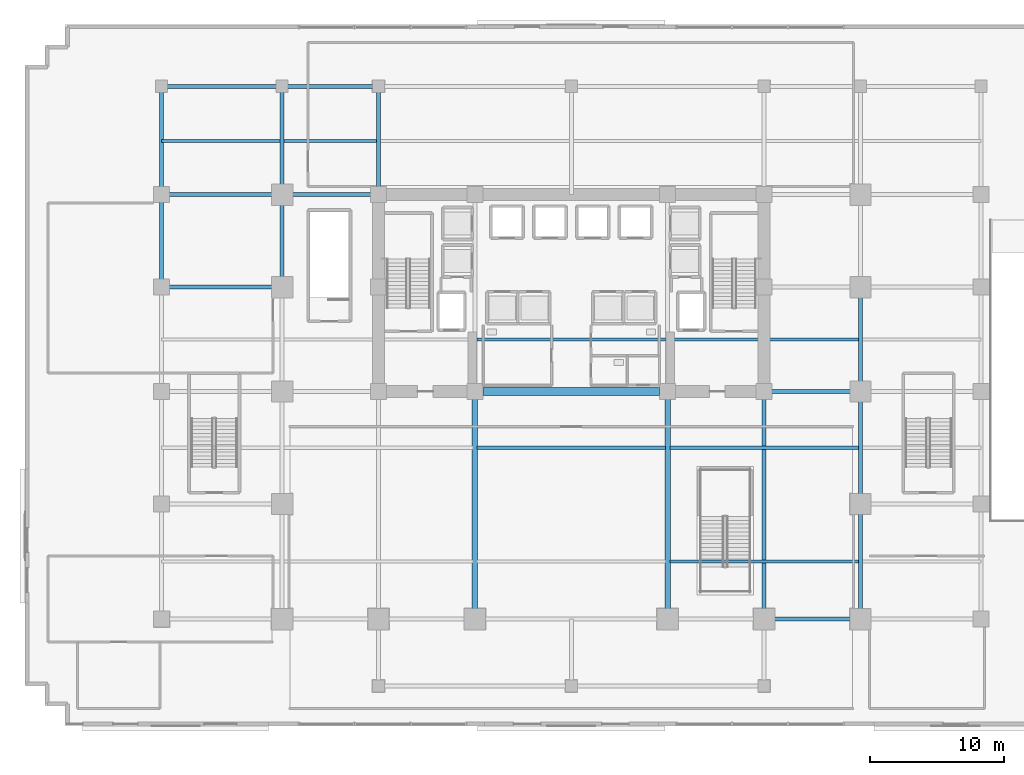
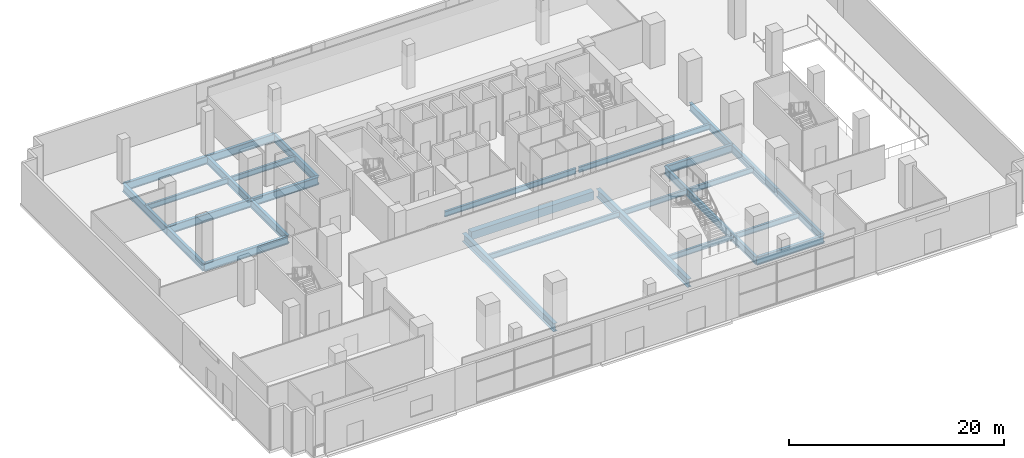
# One storey, part 7 of 27: 26 beams.
"""IFC4 building model written with IfcOpenShell, lengths in metres."""

from ifc_helpers import new_model, si_unit, direction, frame, origin, origin_2d, place, context, subcontext, project, spatial, rectangle, i_section, extrude, material, material_profile, profile_set, type_object, element, save


model = new_model("IFC4")

# Units and contexts
model_context = context("Model", 3, precision=1e-05, world=origin(), true_north=direction((0.0, 1.0)))
body_context = subcontext(model_context, "Body", "Model", "MODEL_VIEW")
ifc_project = project(units=[si_unit("LENGTHUNIT", "METRE"), si_unit("AREAUNIT", "SQUARE_METRE"), si_unit("VOLUMEUNIT", "CUBIC_METRE"), si_unit("PLANEANGLEUNIT", "RADIAN"), si_unit("MASSUNIT", "GRAM", prefix="KILO")], contexts=[model_context])

# Site, building, storey
site_placement = place(None, origin())
site = spatial("IfcSite", under=ifc_project, at=site_placement, CompositionType="ELEMENT")
building_placement = place(site_placement, origin())
building = spatial("IfcBuilding", under=site, at=building_placement, Name="Zarnakvel Exchange Tower", CompositionType="ELEMENT")
storey_placement = place(building_placement, origin())
storey = spatial("IfcBuildingStorey", under=building, at=storey_placement, Name="L00", CompositionType="ELEMENT", Elevation=0.0)

# Beams
ifc_material_1 = material(Name="Steel S355", Category="steel")
ifc_material_profile_1 = material_profile(ifc_material_1, i_section(OverallWidth=0.230224609375, OverallDepth=0.6171875, WebThickness=0.01318359375, FlangeThickness=0.022216796875, FilletRadius=0.0126953125, at=origin_2d()))
ifc_profile_set_1 = profile_set([ifc_material_profile_1], Name="Steel S355")
beam_type_1 = type_object("IfcBeamType", Name="B-02", PredefinedType="JOIST", material=ifc_profile_set_1)
beam_1_placement = place(storey_placement, frame((7.35498046875, -13.89990234375, -0.608642578125), z_axis=(1.0, 0.0, 0.0), x_axis=(0.0, 1.0, 0.0)))
element("IfcBeam", 1, at=beam_1_placement, inside=storey, type_object=beam_type_1, Name="L00 Secondary Floor Joist", PredefinedType="JOIST", context=body_context, shape_type="SweptSolid", body=[
    extrude(i_section(OverallWidth=0.230224609375, OverallDepth=0.6171875, WebThickness=0.01318359375, FlangeThickness=0.022216796875, FilletRadius=0.0126953125, at=origin_2d()), origin(), (0.0, 0.0, 1.0), 14.094970703125),
])
beam_2_placement = place(storey_placement, frame((-7.044921875, -5.39990234375, -0.608642578125), z_axis=(1.0, 0.0, 0.0), x_axis=(0.0, 1.0, 0.0)))
element("IfcBeam", 2, at=beam_2_placement, inside=storey, type_object=beam_type_1, Name="L00 Secondary Floor Joist", PredefinedType="JOIST", context=body_context, shape_type="SweptSolid", body=[
    extrude(i_section(OverallWidth=0.230224609375, OverallDepth=0.6171875, WebThickness=0.01318359375, FlangeThickness=0.022216796875, FilletRadius=0.0126953125, at=origin_2d()), origin(), (0.0, 0.0, 1.0), 14.08984375),
])
beam_3_placement = place(storey_placement, frame((7.35498046875, -5.39990234375, -0.608642578125), z_axis=(1.0, 0.0, 0.0), x_axis=(0.0, 1.0, 0.0)))
element("IfcBeam", 3, at=beam_3_placement, inside=storey, type_object=beam_type_1, Name="L00 Secondary Floor Joist", PredefinedType="JOIST", context=body_context, shape_type="SweptSolid", body=[
    extrude(i_section(OverallWidth=0.230224609375, OverallDepth=0.6171875, WebThickness=0.01318359375, FlangeThickness=0.022216796875, FilletRadius=0.0126953125, at=origin_2d()), origin(), (0.0, 0.0, 1.0), 14.094970703125),
])
beam_4_placement = place(storey_placement, frame((-7.050048828125, 2.699951171875, -0.608642578125), z_axis=(1.0, 0.0, 0.0), x_axis=(0.0, 1.0, 0.0)))
element("IfcBeam", 4, at=beam_4_placement, inside=storey, type_object=beam_type_1, Name="L00 Secondary Floor Joist", PredefinedType="JOIST", context=body_context, shape_type="SweptSolid", body=[
    extrude(i_section(OverallWidth=0.230224609375, OverallDepth=0.6171875, WebThickness=0.01318359375, FlangeThickness=0.022216796875, FilletRadius=0.0126953125, at=origin_2d()), origin(), (0.0, 0.0, 1.0), 14.10009765625),
])
beam_5_placement = place(storey_placement, frame((7.35009765625, 2.699951171875, -0.608642578125), z_axis=(1.0, 0.0, 0.0), x_axis=(0.0, 1.0, 0.0)))
element("IfcBeam", 5, at=beam_5_placement, inside=storey, type_object=beam_type_1, Name="L00 Secondary Floor Joist", PredefinedType="JOIST", context=body_context, shape_type="SweptSolid", body=[
    extrude(i_section(OverallWidth=0.230224609375, OverallDepth=0.6171875, WebThickness=0.01318359375, FlangeThickness=0.022216796875, FilletRadius=0.0126953125, at=origin_2d()), origin(), (0.0, 0.0, 1.0), 14.099853515625),
])
beam_6_placement = place(storey_placement, frame((-30.60009765625, 17.5, -0.608642578125), z_axis=(1.0, 0.0, 0.0), x_axis=(0.0, 1.0, 0.0)))
element("IfcBeam", 6, at=beam_6_placement, inside=storey, type_object=beam_type_1, Name="L00 North Bay Secondary Floor Joist", PredefinedType="JOIST", context=body_context, shape_type="SweptSolid", body=[
    extrude(i_section(OverallWidth=0.230224609375, OverallDepth=0.6171875, WebThickness=0.01318359375, FlangeThickness=0.022216796875, FilletRadius=0.0126953125, at=origin_2d()), origin(), (0.0, 0.0, 1.0), 8.85009765625),
])
beam_7_placement = place(storey_placement, frame((-21.449951171875, 17.5, -0.608642578125), z_axis=(1.0, 0.0, 0.0), x_axis=(0.0, 1.0, 0.0)))
element("IfcBeam", 7, at=beam_7_placement, inside=storey, type_object=beam_type_1, Name="L00 North Bay Secondary Floor Joist", PredefinedType="JOIST", context=body_context, shape_type="SweptSolid", body=[
    extrude(i_section(OverallWidth=0.230224609375, OverallDepth=0.6171875, WebThickness=0.01318359375, FlangeThickness=0.022216796875, FilletRadius=0.0126953125, at=origin_2d()), origin(), (0.0, 0.0, 1.0), 6.89990234375),
])
ifc_material_2 = material(Name="Concrete C80/95", Category="concrete")
ifc_material_profile_2 = material_profile(ifc_material_2, rectangle(XDim=0.60009765625, YDim=0.89990234375, at=origin_2d()))
ifc_profile_set_2 = profile_set([ifc_material_profile_2], Name="Concrete C80/95")
beam_type_2 = type_object("IfcBeamType", Name="CB-01", PredefinedType="LINTEL", material=ifc_profile_set_2)
beam_8_placement = place(storey_placement, frame((-6.60009765625, -1.199951171875, -0.75), z_axis=(1.0, 0.0, 0.0), x_axis=(0.0, 1.0, 0.0)))
element("IfcBeam", 8, at=beam_8_placement, inside=storey, type_object=beam_type_2, Name="L00 Rear Core South Coupling Beam (CB-01)", PredefinedType="LINTEL", context=body_context, shape_type="SweptSolid", body=[
    extrude(rectangle(XDim=0.60009765625, YDim=0.89990234375, at=origin_2d()), origin(), (0.0, 0.0, 1.0), 13.2001953125),
])
ifc_material_profile_3 = material_profile(ifc_material_1, i_section(OverallWidth=0.300048828125, OverallDepth=0.89990234375, WebThickness=0.0185546875, FlangeThickness=0.034912109375, FilletRadius=0.030029296875, at=origin_2d()))
ifc_profile_set_3 = profile_set([ifc_material_profile_3], Name="Steel S355")
beam_type_3 = type_object("IfcBeamType", Name="G-01", PredefinedType="BEAM", material=ifc_profile_set_3)
for number, where, z_axis, x_axis, name in (
    (9, (14.39990234375, -18.199951171875, -0.75), (1.0, 0.0, 0.0), (0.0, 1.0, 0.0), "L00 Primary E-W Girder Y=-18.2"),
    (10, (14.39990234375, -1.199951171875, -0.75), (1.0, 0.0, 0.0), (0.0, 1.0, 0.0), "L00 Primary E-W Girder Y=-1.2"),
):
    element("IfcBeam", number, at=place(storey_placement, frame(where, z_axis=z_axis, x_axis=x_axis)), inside=storey, type_object=beam_type_3, Name=name, PredefinedType="BEAM", context=body_context, shape_type="SweptSolid", body=[
        extrude(i_section(OverallWidth=0.300048828125, OverallDepth=0.89990234375, WebThickness=0.0185546875, FlangeThickness=0.034912109375, FilletRadius=0.030029296875, at=origin_2d()), origin(), (0.0, 0.0, 1.0), 7.2001953125),
    ])
for number, where, z_axis, x_axis, name in (
    (11, (-30.60009765625, 6.60009765625, -0.75), (1.0, 0.0, 0.0), (0.0, 1.0, 0.0), "L00 Primary E-W Girder Y=+6.6"),
    (12, (-30.60009765625, 13.5, -0.75), (1.0, 0.0, 0.0), (0.0, 1.0, 0.0), "L00 Primary E-W Girder Y=+13.5"),
):
    element("IfcBeam", number, at=place(storey_placement, frame(where, z_axis=z_axis, x_axis=x_axis)), inside=storey, type_object=beam_type_3, Name=name, PredefinedType="BEAM", context=body_context, shape_type="SweptSolid", body=[
        extrude(i_section(OverallWidth=0.300048828125, OverallDepth=0.89990234375, WebThickness=0.0185546875, FlangeThickness=0.034912109375, FilletRadius=0.030029296875, at=origin_2d()), origin(), (0.0, 0.0, 1.0), 9.0),
    ])
beam_9_placement = place(storey_placement, frame((-21.60009765625, 13.5, -0.75), z_axis=(1.0, 0.0, 0.0), x_axis=(0.0, 1.0, 0.0)))
element("IfcBeam", 13, at=beam_9_placement, inside=storey, type_object=beam_type_3, Name="L00 Primary E-W Girder Y=+13.5", PredefinedType="BEAM", context=body_context, shape_type="SweptSolid", body=[
    extrude(i_section(OverallWidth=0.300048828125, OverallDepth=0.89990234375, WebThickness=0.0185546875, FlangeThickness=0.034912109375, FilletRadius=0.030029296875, at=origin_2d()), origin(), (0.0, 0.0, 1.0), 7.2001953125),
])
beam_10_placement = place(storey_placement, frame((-30.60009765625, 21.60009765625, -0.75), z_axis=(1.0, 0.0, 0.0), x_axis=(0.0, 1.0, 0.0)))
element("IfcBeam", 14, at=beam_10_placement, inside=storey, type_object=beam_type_3, Name="L00 Primary E-W Girder Y=+21.6", PredefinedType="BEAM", context=body_context, shape_type="SweptSolid", body=[
    extrude(i_section(OverallWidth=0.300048828125, OverallDepth=0.89990234375, WebThickness=0.0185546875, FlangeThickness=0.034912109375, FilletRadius=0.030029296875, at=origin_2d()), origin(), (0.0, 0.0, 1.0), 9.0),
])
beam_11_placement = place(storey_placement, frame((-21.60009765625, 21.60009765625, -0.75), z_axis=(1.0, 0.0, 0.0), x_axis=(0.0, 1.0, 0.0)))
element("IfcBeam", 15, at=beam_11_placement, inside=storey, type_object=beam_type_3, Name="L00 Primary E-W Girder Y=+21.6", PredefinedType="BEAM", context=body_context, shape_type="SweptSolid", body=[
    extrude(i_section(OverallWidth=0.300048828125, OverallDepth=0.89990234375, WebThickness=0.0185546875, FlangeThickness=0.034912109375, FilletRadius=0.030029296875, at=origin_2d()), origin(), (0.0, 0.0, 1.0), 7.2001953125),
])
beam_12_placement = place(storey_placement, frame((-30.60009765625, 6.60009765625, -0.75), z_axis=(0.0, 1.0, 0.0), x_axis=(-1.0, 0.0, 0.0)))
element("IfcBeam", 16, at=beam_12_placement, inside=storey, type_object=beam_type_3, Name="L00 Primary N-S Girder X=-30.6", PredefinedType="BEAM", context=body_context, shape_type="SweptSolid", body=[
    extrude(i_section(OverallWidth=0.300048828125, OverallDepth=0.89990234375, WebThickness=0.0185546875, FlangeThickness=0.034912109375, FilletRadius=0.030029296875, at=origin_2d()), origin(), (0.0, 0.0, 1.0), 6.89990234375),
])
beam_13_placement = place(storey_placement, frame((-30.60009765625, 13.5, -0.75), z_axis=(0.0, 1.0, 0.0), x_axis=(-1.0, 0.0, 0.0)))
element("IfcBeam", 17, at=beam_13_placement, inside=storey, type_object=beam_type_3, Name="L00 Primary N-S Girder X=-30.6", PredefinedType="BEAM", context=body_context, shape_type="SweptSolid", body=[
    extrude(i_section(OverallWidth=0.300048828125, OverallDepth=0.89990234375, WebThickness=0.0185546875, FlangeThickness=0.034912109375, FilletRadius=0.030029296875, at=origin_2d()), origin(), (0.0, 0.0, 1.0), 8.10009765625),
])
beam_14_placement = place(storey_placement, frame((-21.60009765625, 6.60009765625, -0.75), z_axis=(0.0, 1.0, 0.0), x_axis=(-1.0, 0.0, 0.0)))
element("IfcBeam", 18, at=beam_14_placement, inside=storey, type_object=beam_type_3, Name="L00 Primary N-S Girder X=-21.6", PredefinedType="BEAM", context=body_context, shape_type="SweptSolid", body=[
    extrude(i_section(OverallWidth=0.300048828125, OverallDepth=0.89990234375, WebThickness=0.0185546875, FlangeThickness=0.034912109375, FilletRadius=0.030029296875, at=origin_2d()), origin(), (0.0, 0.0, 1.0), 6.89990234375),
])
for number, where, z_axis, x_axis, name in (
    (19, (-21.60009765625, 13.5, -0.75), (0.0, 1.0, 0.0), (-1.0, 0.0, 0.0), "L00 Primary N-S Girder X=-21.6"),
    (20, (-14.39990234375, 13.5, -0.75), (0.0, 1.0, 0.0), (-1.0, 0.0, 0.0), "L00 Primary N-S Girder X=-14.4"),
):
    element("IfcBeam", number, at=place(storey_placement, frame(where, z_axis=z_axis, x_axis=x_axis)), inside=storey, type_object=beam_type_3, Name=name, PredefinedType="BEAM", context=body_context, shape_type="SweptSolid", body=[
        extrude(i_section(OverallWidth=0.300048828125, OverallDepth=0.89990234375, WebThickness=0.0185546875, FlangeThickness=0.034912109375, FilletRadius=0.030029296875, at=origin_2d()), origin(), (0.0, 0.0, 1.0), 8.10009765625),
    ])
beam_15_placement = place(storey_placement, frame((21.60009765625, -18.199951171875, -0.75), z_axis=(0.0, 1.0, 0.0), x_axis=(-1.0, 0.0, 0.0)))
element("IfcBeam", 21, at=beam_15_placement, inside=storey, type_object=beam_type_3, Name="L00 Primary N-S Girder X=+21.6", PredefinedType="BEAM", context=body_context, shape_type="SweptSolid", body=[
    extrude(i_section(OverallWidth=0.300048828125, OverallDepth=0.89990234375, WebThickness=0.0185546875, FlangeThickness=0.034912109375, FilletRadius=0.030029296875, at=origin_2d()), origin(), (0.0, 0.0, 1.0), 8.599853515625),
])
beam_16_placement = place(storey_placement, frame((21.60009765625, -9.60009765625, -0.75), z_axis=(0.0, 1.0, 0.0), x_axis=(-1.0, 0.0, 0.0)))
element("IfcBeam", 22, at=beam_16_placement, inside=storey, type_object=beam_type_3, Name="L00 Primary N-S Girder X=+21.6", PredefinedType="BEAM", context=body_context, shape_type="SweptSolid", body=[
    extrude(i_section(OverallWidth=0.300048828125, OverallDepth=0.89990234375, WebThickness=0.0185546875, FlangeThickness=0.034912109375, FilletRadius=0.030029296875, at=origin_2d()), origin(), (0.0, 0.0, 1.0), 8.400146484375),
])
beam_17_placement = place(storey_placement, frame((21.60009765625, -1.199951171875, -0.75), z_axis=(0.0, 1.0, 0.0), x_axis=(-1.0, 0.0, 0.0)))
element("IfcBeam", 23, at=beam_17_placement, inside=storey, type_object=beam_type_3, Name="L00 Primary N-S Girder X=+21.6", PredefinedType="BEAM", context=body_context, shape_type="SweptSolid", body=[
    extrude(i_section(OverallWidth=0.300048828125, OverallDepth=0.89990234375, WebThickness=0.0185546875, FlangeThickness=0.034912109375, FilletRadius=0.030029296875, at=origin_2d()), origin(), (0.0, 0.0, 1.0), 7.800048828125),
])
ifc_material_profile_4 = material_profile(ifc_material_1, i_section(OverallWidth=0.42041015625, OverallDepth=0.9208984375, WebThickness=0.021484375, FlangeThickness=0.03662109375, FilletRadius=0.024169921875, at=origin_2d()))
ifc_profile_set_4 = profile_set([ifc_material_profile_4], Name="Steel S355")
beam_type_4 = type_object("IfcBeamType", Name="TB-01", PredefinedType="T_BEAM", material=ifc_profile_set_4)
for number, where, z_axis, x_axis, name in (
    (24, (-7.199951171875, -18.199951171875, -0.760498046875), (0.0, 1.0, 0.0), (-1.0, 0.0, 0.0), "L00 Primary N-S Girder X=-7.2"),
    (25, (7.199951171875, -18.199951171875, -0.760498046875), (0.0, 1.0, 0.0), (-1.0, 0.0, 0.0), "L00 Primary N-S Girder X=+7.2"),
):
    element("IfcBeam", number, at=place(storey_placement, frame(where, z_axis=z_axis, x_axis=x_axis)), inside=storey, type_object=beam_type_4, Name=name, PredefinedType="T_BEAM", context=body_context, shape_type="SweptSolid", body=[
        extrude(i_section(OverallWidth=0.42041015625, OverallDepth=0.9208984375, WebThickness=0.021484375, FlangeThickness=0.03662109375, FilletRadius=0.024169921875, at=origin_2d()), origin(), (0.0, 0.0, 1.0), 17.0),
    ])
ifc_material_profile_5 = material_profile(ifc_material_1, i_section(OverallWidth=0.293701171875, OverallDepth=0.850830078125, WebThickness=0.01611328125, FlangeThickness=0.02685546875, FilletRadius=0.017822265625, at=origin_2d()))
ifc_profile_set_5 = profile_set([ifc_material_profile_5], Name="Steel S355")
beam_type_5 = type_object("IfcBeamType", Name="TB-02", PredefinedType="T_BEAM", material=ifc_profile_set_5)
beam_18_placement = place(storey_placement, frame((14.39990234375, -18.199951171875, -0.725341796875), z_axis=(0.0, 1.0, 0.0), x_axis=(-1.0, 0.0, 0.0)))
element("IfcBeam", 26, at=beam_18_placement, inside=storey, type_object=beam_type_5, Name="L00 Primary N-S Girder X=+14.4", PredefinedType="T_BEAM", context=body_context, shape_type="SweptSolid", body=[
    extrude(i_section(OverallWidth=0.293701171875, OverallDepth=0.850830078125, WebThickness=0.01611328125, FlangeThickness=0.02685546875, FilletRadius=0.017822265625, at=origin_2d()), origin(), (0.0, 0.0, 1.0), 17.0),
])

save(model, "model.ifc")
